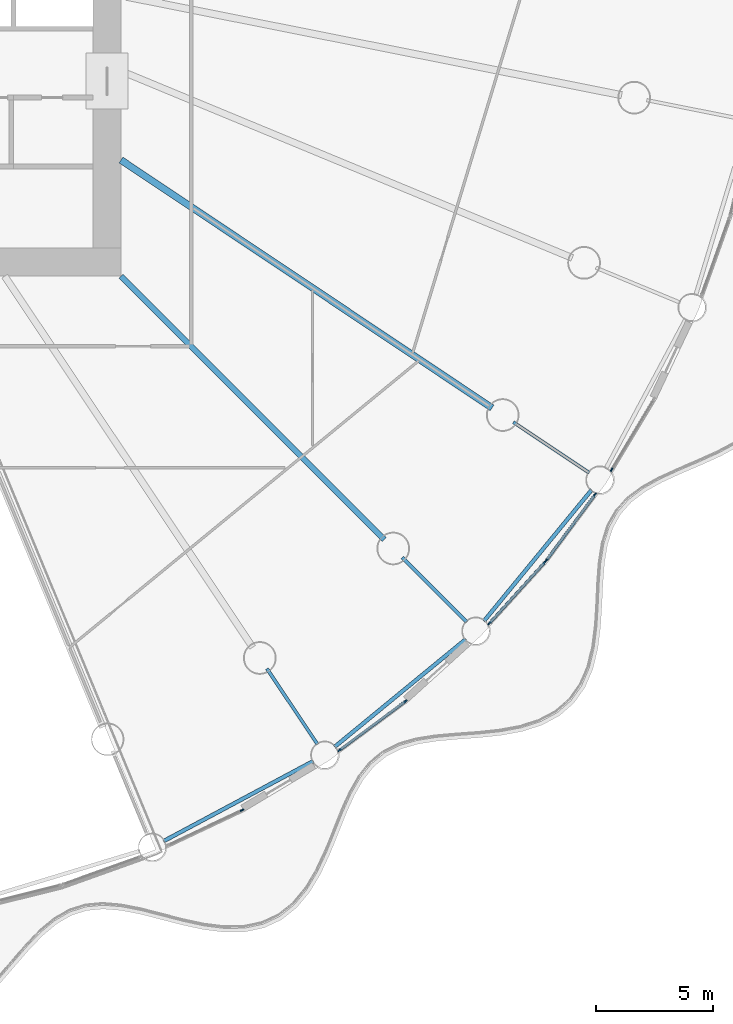
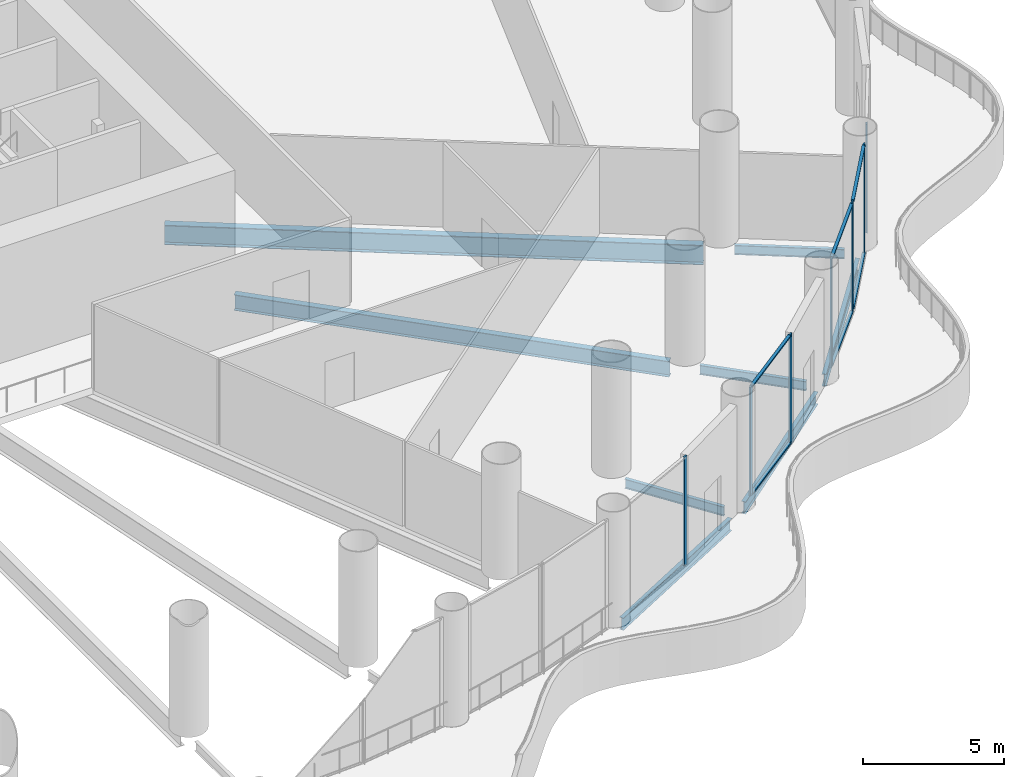
# One storey, part 11 of 36: 14 members, 8 beams, 5 elements without a shape of their own.
"""IFC4 building model written with IfcOpenShell, lengths in metres."""

from ifc_helpers import new_model, si_unit, direction, frame, origin, origin_2d, place, context, subcontext, project, spatial, rectangle, i_section, extrude, material, material_profile, profile_set, type_object, element, aggregate, save


model = new_model("IFC4")

# Units and contexts
model_context = context("Model", 3, precision=1e-05, world=origin(), true_north=direction((0.0, 1.0)))
body_context = subcontext(model_context, "Body", "Model", "MODEL_VIEW")
ifc_project = project(units=[si_unit("LENGTHUNIT", "METRE"), si_unit("AREAUNIT", "SQUARE_METRE"), si_unit("VOLUMEUNIT", "CUBIC_METRE"), si_unit("PLANEANGLEUNIT", "RADIAN"), si_unit("MASSUNIT", "GRAM", prefix="KILO")], contexts=[model_context])

# Site, building, storey
site_placement = place(None, origin())
site = spatial("IfcSite", under=ifc_project, at=site_placement, CompositionType="ELEMENT")
building_placement = place(site_placement, origin())
building = spatial("IfcBuilding", under=site, at=building_placement, Name="Corvane Civic Tower", CompositionType="ELEMENT")
storey_placement = place(building_placement, frame((0.0, 0.0, 17.0)))
storey = spatial("IfcBuildingStorey", under=building, at=storey_placement, Name="L03", CompositionType="ELEMENT", Elevation=17.0)

# Beams
ifc_material_1 = material(Name="Steel ASTM A992 Gr 50", Category="steel")
ifc_material_profile_1 = material_profile(ifc_material_1, i_section(OverallWidth=0.165771484375, OverallDepth=0.5283203125, WebThickness=0.009765625, FlangeThickness=0.013671875, at=origin_2d()), Name="W21X50")
ifc_profile_set_1 = profile_set([ifc_material_profile_1], Name="Steel ASTM A992 Gr 50")
beam_type_1 = type_object("IfcBeamType", Name="EDGE BEAM W21X50", PredefinedType="BEAM", material=ifc_profile_set_1)
for number, where, z_axis, x_axis, name in (
    (1, (35.15478515625, -24.14794921875, -0.564208984375), (-0.634396365205, -0.773007924807, 0.0), (0.773007924807, -0.634396365205, 0.0), "BM-L03-E12"),
    (2, (29.768310546875, -30.542236328125, -0.564208984375), (-0.773007924807, -0.634396365205, 0.0), (0.634396365205, -0.773007924807, 0.0), "BM-L03-E13"),
    (3, (23.23779296875, -35.762939453125, -0.564208984375), (-0.881912894916, -0.471412394598, 0.0), (0.471412394598, -0.881912894916, 0.0), "BM-L03-E14"),
):
    element("IfcBeam", number, at=place(storey_placement, frame(where, z_axis=z_axis, x_axis=x_axis)), inside=storey, type_object=beam_type_1, Name=name, PredefinedType="BEAM", context=body_context, shape_type="SweptSolid", body=[
        extrude(i_section(OverallWidth=0.165771484375, OverallDepth=0.5283203125, WebThickness=0.009765625, FlangeThickness=0.013671875, at=origin_2d()), origin(), (0.0, 0.0, 1.0), 7.270751953125),
    ])
ifc_material_2 = material(Name="Steel ASTM A992 Gr 50", Category="steel")
ifc_material_profile_2 = material_profile(ifc_material_2, i_section(OverallWidth=0.140380859375, OverallDepth=0.40380859375, WebThickness=0.007080078125, FlangeThickness=0.01123046875, at=origin_2d()), Name="W16X31")
ifc_profile_set_2 = profile_set([ifc_material_profile_2], Name="Steel ASTM A992 Gr 50")
beam_type_2 = type_object("IfcBeamType", Name="FLOOR GIRDER W16X31", PredefinedType="BEAM", material=ifc_profile_set_2)
for number, where, z_axis, x_axis, name in (
    (4, (31.8037109375, -21.25048828125, -0.501953125), (0.831462344301, -0.555581110199, 0.0), (0.555581110199, 0.831462344301, 0.0), "BM-L03-G12b"),
    (5, (27.046875, -27.046875, -0.501953125), (0.707106781187, -0.707106781187, 0.0), (0.707106781187, 0.707106781187, 0.0), "BM-L03-G13b"),
    (6, (21.25048828125, -31.8037109375, -0.501953125), (0.555581110199, -0.831462344301, 0.0), (0.831462344301, 0.555581110199, 0.0), "BM-L03-G14b"),
):
    element("IfcBeam", number, at=place(storey_placement, frame(where, z_axis=z_axis, x_axis=x_axis)), inside=storey, type_object=beam_type_2, Name=name, PredefinedType="BEAM", context=body_context, shape_type="SweptSolid", body=[
        extrude(i_section(OverallWidth=0.140380859375, OverallDepth=0.40380859375, WebThickness=0.007080078125, FlangeThickness=0.01123046875, at=origin_2d()), origin(), (0.0, 0.0, 1.0), 3.89990234375),
    ])
ifc_material_3 = material(Name="Steel ASTM A992 Gr 50", Category="steel")
ifc_material_profile_3 = material_profile(ifc_material_3, i_section(OverallWidth=0.25390625, OverallDepth=0.67822265625, WebThickness=0.01171875, FlangeThickness=0.016357421875, at=origin_2d()), Name="W27X84")
ifc_profile_set_3 = profile_set([ifc_material_profile_3], Name="Steel ASTM A992 Gr 50")
beam_type_3 = type_object("IfcBeamType", Name="FLOOR GIRDER W27X84", PredefinedType="BEAM", material=ifc_profile_set_3)
beam_1_placement = place(storey_placement, frame((15.0, -15.0, -0.63916015625), z_axis=(0.707106781187, -0.707106781187, 0.0), x_axis=(0.707106781187, 0.707106781187, 0.0)))
element("IfcBeam", 7, at=beam_1_placement, inside=storey, type_object=beam_type_3, Name="BM-L03-G13", PredefinedType="BEAM", context=body_context, shape_type="SweptSolid", body=[
    extrude(i_section(OverallWidth=0.25390625, OverallDepth=0.67822265625, WebThickness=0.01171875, FlangeThickness=0.016357421875, at=origin_2d()), origin(), (0.0, 0.0, 1.0), 15.936767578125),
])
ifc_material_4 = material(Name="Steel ASTM A992 Gr 50", Category="steel")
ifc_material_profile_4 = material_profile(ifc_material_4, i_section(OverallWidth=0.2919921875, OverallDepth=0.845703125, WebThickness=0.015380859375, FlangeThickness=0.0244140625, at=origin_2d()), Name="W33X141")
ifc_profile_set_4 = profile_set([ifc_material_profile_4], Name="Steel ASTM A992 Gr 50")
beam_type_4 = type_object("IfcBeamType", Name="FLOOR GIRDER W33X141", PredefinedType="BEAM", material=ifc_profile_set_4)
beam_2_placement = place(storey_placement, frame((15.0, -10.022705078125, -0.722900390625), z_axis=(0.831471985418, -0.555566681385, 0.0), x_axis=(0.555566681385, 0.831471985418, 0.0)))
element("IfcBeam", 8, at=beam_2_placement, inside=storey, type_object=beam_type_4, Name="BM-L03-G12", PredefinedType="BEAM", context=body_context, shape_type="SweptSolid", body=[
    extrude(i_section(OverallWidth=0.2919921875, OverallDepth=0.845703125, WebThickness=0.015380859375, FlangeThickness=0.0244140625, at=origin_2d()), origin(), (0.0, 0.0, 1.0), 19.109619140625),
])

# Curtain wall, member
ifc_material_5 = material(Name="Aluminium and glass", Category="aluminium")
curtain_wall_type = type_object("IfcCurtainWallType", Name="PODIUM-CW-P-RUN", PredefinedType="NOTDEFINED", material=ifc_material_5)
curtain_wall_1_placement = place(storey_placement, origin())
curtain_wall_1 = element("IfcCurtainWall", 9, at=curtain_wall_1_placement, inside=storey, type_object=curtain_wall_type, Name="PODI run L03-drum-11B", PredefinedType="NOTDEFINED")
ifc_material_6 = material(Name="Anodised aluminium bronze", Category="aluminium")
ifc_material_profile_5 = material_profile(ifc_material_6, rectangle(XDim=0.06005859375, YDim=0.159912109375, at=origin_2d()), Name="AL 60x160")
ifc_profile_set_5 = profile_set([ifc_material_profile_5], Name="Anodised aluminium bronze")
member_type_1 = type_object("IfcMemberType", Name="PODIUM-CWP-MULLION-60x160", PredefinedType="MULLION", material=ifc_profile_set_5)
member_1_placement = place(storey_placement, frame((36.010009765625, -23.28564453125, 0.0), z_axis=(0.0, 0.0, 1.0), x_axis=(0.857719609779, -0.514117759857, 0.0)))
member_1 = element("IfcMember", 10, at=member_1_placement, type_object=member_type_1, Name="CW-P mullion 2", PredefinedType="MULLION", context=body_context, shape_type="SweptSolid", body=[
    extrude(rectangle(XDim=0.06005859375, YDim=0.159912109375, at=origin_2d()), origin(), (0.0, 0.0, 1.0), 4.699951171875),
])
aggregate(curtain_wall_1, [member_1])

# Curtain wall, members
curtain_wall_2_placement = place(storey_placement, origin())
curtain_wall_2 = element("IfcCurtainWall", 11, at=curtain_wall_2_placement, inside=storey, type_object=curtain_wall_type, Name="PODI run L03-drum-12A", PredefinedType="NOTDEFINED")
member_2_placement = place(storey_placement, frame((35.293701171875, -24.35791015625, 0.0), z_axis=(0.0, 0.0, 1.0), x_axis=(0.803203229747, -0.595705104665, 0.0)))
member_2 = element("IfcMember", 12, at=member_2_placement, type_object=member_type_1, Name="CW-P mullion 1", PredefinedType="MULLION", context=body_context, shape_type="SweptSolid", body=[
    extrude(rectangle(XDim=0.06005859375, YDim=0.159912109375, at=origin_2d()), origin(), (0.0, 0.0, 1.0), 4.699951171875),
])
member_3_placement = place(storey_placement, frame((33.197021484375, -27.18505859375, 0.0), z_axis=(0.0, 0.0, 1.0), x_axis=(0.803203229747, -0.595705104665, 0.0)))
member_3 = element("IfcMember", 13, at=member_3_placement, type_object=member_type_1, Name="CW-P mullion 2", PredefinedType="MULLION", context=body_context, shape_type="SweptSolid", body=[
    extrude(rectangle(XDim=0.06005859375, YDim=0.159912109375, at=origin_2d()), origin(), (0.0, 0.0, 1.0), 4.699951171875),
])

curtain_wall_3_placement = place(storey_placement, origin())
curtain_wall_3 = element("IfcCurtainWall", 14, at=curtain_wall_3_placement, inside=storey, type_object=curtain_wall_type, Name="PODI run L03-drum-12B", PredefinedType="NOTDEFINED")
member_4_placement = place(storey_placement, frame((33.13916015625, -27.25537109375, 0.0), z_axis=(0.0, 0.0, 1.0), x_axis=(0.740935261089, -0.671576457952, 0.0)))
member_4 = element("IfcMember", 15, at=member_4_placement, type_object=member_type_1, Name="CW-P mullion 1", PredefinedType="MULLION", context=body_context, shape_type="SweptSolid", body=[
    extrude(rectangle(XDim=0.06005859375, YDim=0.159912109375, at=origin_2d()), origin(), (0.0, 0.0, 1.0), 4.699951171875),
])
member_5_placement = place(storey_placement, frame((30.775390625, -29.863525390625, 0.0), z_axis=(0.0, 0.0, 1.0), x_axis=(0.740935261089, -0.671576457952, 0.0)))
member_5 = element("IfcMember", 16, at=member_5_placement, type_object=member_type_1, Name="CW-P mullion 2", PredefinedType="MULLION", context=body_context, shape_type="SweptSolid", body=[
    extrude(rectangle(XDim=0.06005859375, YDim=0.159912109375, at=origin_2d()), origin(), (0.0, 0.0, 1.0), 4.699951171875),
])

curtain_wall_4_placement = place(storey_placement, origin())
curtain_wall_4 = element("IfcCurtainWall", 17, at=curtain_wall_4_placement, inside=storey, type_object=curtain_wall_type, Name="PODI run L03-drum-13B", PredefinedType="NOTDEFINED")
member_6_placement = place(storey_placement, frame((27.18505859375, -33.197021484375, 0.0), z_axis=(0.0, 0.0, 1.0), x_axis=(0.595705104665, -0.803203229747, 0.0)))
member_6 = element("IfcMember", 18, at=member_6_placement, type_object=member_type_1, Name="CW-P mullion 1", PredefinedType="MULLION", context=body_context, shape_type="SweptSolid", body=[
    extrude(rectangle(XDim=0.06005859375, YDim=0.159912109375, at=origin_2d()), origin(), (0.0, 0.0, 1.0), 4.699951171875),
])
member_7_placement = place(storey_placement, frame((24.35791015625, -35.293701171875, 0.0), z_axis=(0.0, 0.0, 1.0), x_axis=(0.595705104665, -0.803203229747, 0.0)))
member_7 = element("IfcMember", 19, at=member_7_placement, type_object=member_type_1, Name="CW-P mullion 2", PredefinedType="MULLION", context=body_context, shape_type="SweptSolid", body=[
    extrude(rectangle(XDim=0.06005859375, YDim=0.159912109375, at=origin_2d()), origin(), (0.0, 0.0, 1.0), 4.699951171875),
])

# Curtain wall, member
curtain_wall_5_placement = place(storey_placement, origin())
curtain_wall_5 = element("IfcCurtainWall", 20, at=curtain_wall_5_placement, inside=storey, type_object=curtain_wall_type, Name="PODI run L03-drum-14B", PredefinedType="NOTDEFINED")
member_8_placement = place(storey_placement, frame((20.186279296875, -37.862548828125, 0.0), z_axis=(0.0, 0.0, 1.0), x_axis=(0.42755312852, -0.903990222454, 0.0)))
member_8 = element("IfcMember", 21, at=member_8_placement, type_object=member_type_1, Name="CW-P mullion 1", PredefinedType="MULLION", context=body_context, shape_type="SweptSolid", body=[
    extrude(rectangle(XDim=0.06005859375, YDim=0.159912109375, at=origin_2d()), origin(), (0.0, 0.0, 1.0), 4.699951171875),
])
aggregate(curtain_wall_5, [member_8])

# Member
ifc_material_7 = material(Name="Anodised aluminium bronze", Category="aluminium")
ifc_material_profile_6 = material_profile(ifc_material_7, rectangle(XDim=0.1201171875, YDim=0.06005859375, at=origin_2d()), Name="AL 120x60")
ifc_profile_set_6 = profile_set([ifc_material_profile_6], Name="Anodised aluminium bronze")
member_type_2 = type_object("IfcMemberType", Name="PODIUM-CWP-TRANSOM-60x120", PredefinedType="USERDEFINED", material=ifc_profile_set_6)
member_9_placement = place(storey_placement, frame((35.27587890625, -24.382080078125, 0.030029296875), z_axis=(-0.595723591285, -0.803189518598, 0.0), x_axis=(0.803189518598, -0.595723591285, 0.0)))
member_9 = element("IfcMember", 22, at=member_9_placement, type_object=member_type_2, Name="CW-P transom 1.1", ObjectType="TRANSOM", PredefinedType="USERDEFINED", context=body_context, shape_type="SweptSolid", body=[
    extrude(rectangle(XDim=0.1201171875, YDim=0.06005859375, at=origin_2d()), origin(), (0.0, 0.0, 1.0), 3.459716796875),
])

member_10_placement = place(storey_placement, frame((35.27587890625, -24.382080078125, 4.669921875), z_axis=(-0.595723591285, -0.803189518598, 0.0), x_axis=(0.803189518598, -0.595723591285, 0.0)))
member_10 = element("IfcMember", 23, at=member_10_placement, type_object=member_type_2, Name="CW-P transom 1.2", ObjectType="TRANSOM", PredefinedType="USERDEFINED", context=body_context, shape_type="SweptSolid", body=[
    extrude(rectangle(XDim=0.1201171875, YDim=0.06005859375, at=origin_2d()), origin(), (0.0, 0.0, 1.0), 3.459716796875),
])

aggregate(curtain_wall_2, [member_2, member_3, member_9, member_10])

member_11_placement = place(storey_placement, frame((33.119140625, -27.277587890625, 0.030029296875), z_axis=(-0.671576323599, -0.740935382865, 0.0), x_axis=(0.740935382865, -0.671576323599, 0.0)))
member_11 = element("IfcMember", 24, at=member_11_placement, type_object=member_type_2, Name="CW-P transom 1.1", ObjectType="TRANSOM", PredefinedType="USERDEFINED", context=body_context, shape_type="SweptSolid", body=[
    extrude(rectangle(XDim=0.1201171875, YDim=0.06005859375, at=origin_2d()), origin(), (0.0, 0.0, 1.0), 3.460205078125),
])

member_12_placement = place(storey_placement, frame((33.119140625, -27.277587890625, 4.669921875), z_axis=(-0.671576323599, -0.740935382865, 0.0), x_axis=(0.740935382865, -0.671576323599, 0.0)))
member_12 = element("IfcMember", 25, at=member_12_placement, type_object=member_type_2, Name="CW-P transom 1.2", ObjectType="TRANSOM", PredefinedType="USERDEFINED", context=body_context, shape_type="SweptSolid", body=[
    extrude(rectangle(XDim=0.1201171875, YDim=0.06005859375, at=origin_2d()), origin(), (0.0, 0.0, 1.0), 3.460205078125),
])

aggregate(curtain_wall_3, [member_4, member_5, member_11, member_12])

member_13_placement = place(storey_placement, frame((27.160888671875, -33.21484375, 0.030029296875), z_axis=(-0.803189518598, -0.595723591285, 0.0), x_axis=(0.595723591285, -0.803189518598, 0.0)))
member_13 = element("IfcMember", 26, at=member_13_placement, type_object=member_type_2, Name="CW-P transom 1.1", ObjectType="TRANSOM", PredefinedType="USERDEFINED", context=body_context, shape_type="SweptSolid", body=[
    extrude(rectangle(XDim=0.1201171875, YDim=0.06005859375, at=origin_2d()), origin(), (0.0, 0.0, 1.0), 3.459716796875),
])

member_14_placement = place(storey_placement, frame((27.160888671875, -33.21484375, 4.669921875), z_axis=(-0.803189518598, -0.595723591285, 0.0), x_axis=(0.595723591285, -0.803189518598, 0.0)))
member_14 = element("IfcMember", 27, at=member_14_placement, type_object=member_type_2, Name="CW-P transom 1.2", ObjectType="TRANSOM", PredefinedType="USERDEFINED", context=body_context, shape_type="SweptSolid", body=[
    extrude(rectangle(XDim=0.1201171875, YDim=0.06005859375, at=origin_2d()), origin(), (0.0, 0.0, 1.0), 3.459716796875),
])

aggregate(curtain_wall_4, [member_6, member_7, member_13, member_14])

save(model, "model.ifc")
